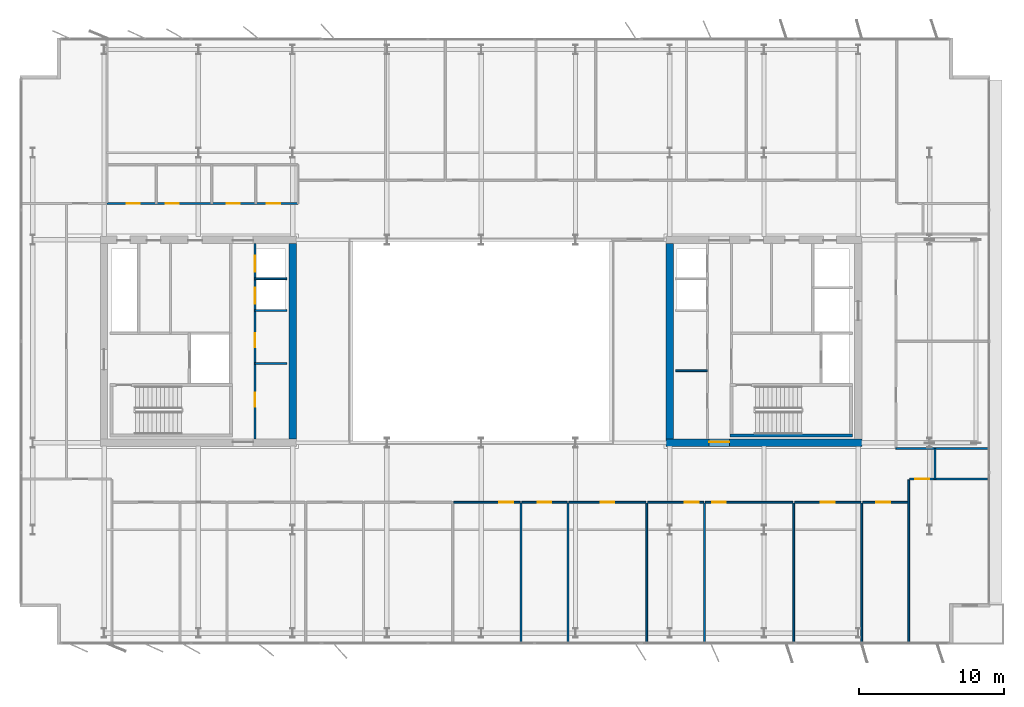
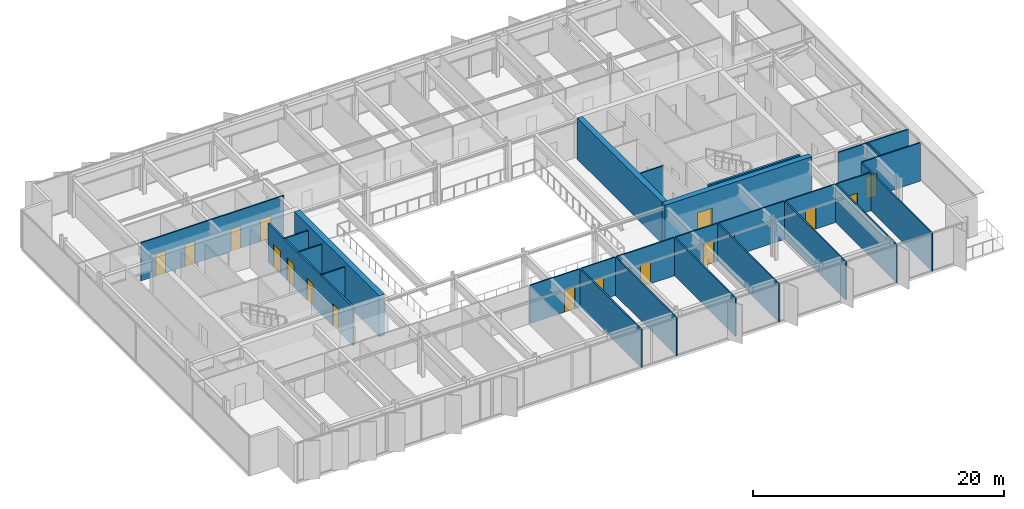
# One storey, part 14 of 20: 27 walls, 17 doors, 17 openings.
"""IFC4 building model written with IfcOpenShell, lengths in metres."""

from ifc_helpers import new_model, si_unit, direction, frame, frame_2d, origin, place, context, subcontext, project, spatial, rectangle, extrude, material, layer, layer_set, type_object, element, fill, save


model = new_model("IFC4")

# Units and contexts
model_context = context("Model", 3, precision=1e-05, world=origin(), true_north=direction((0.0, 1.0)))
body_context = subcontext(model_context, "Body", "Model", "MODEL_VIEW")
ifc_project = project(units=[si_unit("LENGTHUNIT", "METRE"), si_unit("AREAUNIT", "SQUARE_METRE"), si_unit("VOLUMEUNIT", "CUBIC_METRE"), si_unit("PLANEANGLEUNIT", "RADIAN"), si_unit("MASSUNIT", "GRAM", prefix="KILO")], contexts=[model_context])

# Site, building, storey
site_placement = place(None, origin())
site = spatial("IfcSite", under=ifc_project, at=site_placement, CompositionType="ELEMENT")
building_placement = place(site_placement, origin())
building = spatial("IfcBuilding", under=site, at=building_placement, Name="Putna Gate Headquarters", CompositionType="ELEMENT")
storey_placement = place(building_placement, frame((0.0, 0.0, 306.39990234375)))
storey = spatial("IfcBuildingStorey", under=building, at=storey_placement, Name="L77", CompositionType="ELEMENT", Elevation=306.39990234375)

# Wall
ifc_material_1 = material(Name="Concrete C50/60", Category="concrete")
ifc_layer_1 = layer(ifc_material_1, 0.5)
ifc_layer_set_1 = layer_set([ifc_layer_1], Name="Concrete C50/60")
wall_type_1 = type_object("IfcWallType", Name="WALL-CORE-500", PredefinedType="SHEAR", material=ifc_layer_set_1)
wall_1_placement = place(storey_placement, frame((26.0, 19.25, 0.0), z_axis=(0.0, 0.0, 1.0), x_axis=(0.0, 1.0, 0.0)))
element("IfcWall", 1, at=wall_1_placement, inside=storey, type_object=wall_type_1, Name="L77 WC Split Core Shear Wall E", PredefinedType="SHEAR", context=body_context, shape_type="SweptSolid", body=[
    extrude(rectangle(XDim=13.5, YDim=0.5, at=frame_2d((6.75, 0.0))), origin(), (0.0, 0.0, 1.0), 4.0),
])

# Wall, opening, door
wall_2_placement = place(storey_placement, frame((51.75, 19.0, 0.0), z_axis=(0.0, 0.0, 1.0), x_axis=(1.0, 0.0, 0.0)))
wall_2 = element("IfcWall", 2, at=wall_2_placement, inside=storey, type_object=wall_type_1, Name="L77 EC Split Core Shear Wall S", PredefinedType="SHEAR", context=body_context, shape_type="SweptSolid", body=[
    extrude(rectangle(XDim=13.5, YDim=0.5, at=frame_2d((6.75, 0.0))), origin(), (0.0, 0.0, 1.0), 4.0),
])
opening_1_placement = place(wall_2_placement, frame((2.969970703125, 0.0, 0.0)))
opening_1 = element("IfcOpeningElement", 3, at=opening_1_placement, cuts=wall_2, Name="Opening FDD-140", PredefinedType="OPENING", context=body_context, shape_type="SweptSolid", body=[
    extrude(rectangle(XDim=1.39990234375, YDim=2.199951171875, at=frame_2d((0.699951171875, 1.10009765625))), frame((0.0, 0.260009765625, 0.0), z_axis=(0.0, -1.0, 0.0), x_axis=(1.0, 0.0, 0.0)), (0.0, 0.0, 1.0), 0.52001953125),
])
ifc_material_2 = material(Name="Double steel fire door", Category="steel")
door_type_1 = type_object("IfcDoorType", Name="DOOR-FIRE-DBL-1400", OperationType="DOUBLE_DOOR_SINGLE_SWING", PredefinedType="DOOR", material=ifc_material_2)
door_1_placement = place(opening_1_placement, origin())
door_1 = element("IfcDoor", 4, at=door_1_placement, inside=storey, type_object=door_type_1, Name="L77 East Lift Lobby South Door", OperationType="DOUBLE_DOOR_SINGLE_SWING", OverallHeight=2.199951171875, OverallWidth=1.39990234375, PredefinedType="DOOR", context=body_context, shape_type="SweptSolid", body=[
    extrude(rectangle(XDim=1.39990234375, YDim=2.199951171875, at=frame_2d((0.699951171875, 1.10009765625))), frame((0.0, 0.0751953125, 0.0), z_axis=(0.0, -1.0, 0.0), x_axis=(1.0, 0.0, 0.0)), (0.0, 0.0, 1.0), 0.050048828125),
])
fill(opening_1, door_1)

# Walls
wall_3_placement = place(storey_placement, frame((52.0, 19.25, 0.0), z_axis=(0.0, 0.0, 1.0), x_axis=(0.0, 1.0, 0.0)))
element("IfcWall", 5, at=wall_3_placement, inside=storey, type_object=wall_type_1, Name="L77 EC Split Core Shear Wall W", PredefinedType="SHEAR", context=body_context, shape_type="SweptSolid", body=[
    extrude(rectangle(XDim=13.5, YDim=0.5, at=frame_2d((6.75, 0.0))), origin(), (0.0, 0.0, 1.0), 4.0),
])
ifc_material_3 = material(Name="Acoustic gypsum board on metal stud")
ifc_layer_2 = layer(ifc_material_3, 0.1201171875)
ifc_layer_set_2 = layer_set([ifc_layer_2], Name="Acoustic gypsum board on metal stud")
wall_type_2 = type_object("IfcWallType", Name="WALL-PART-120", PredefinedType="PARTITIONING", material=ifc_layer_set_2)
for number, where, z_axis, x_axis, name in (
    (6, (41.7412109375, 5.1201171875, 0.0), (0.0, 0.0, 1.0), (0.0, 1.0, 0.0), "L77 Interior Wall PART-L77-SB-DIV-07"),
    (7, (44.98828125, 5.1201171875, 0.0), (0.0, 0.0, 1.0), (0.0, 1.0, 0.0), "L77 Interior Wall PART-L77-SB-DIV-08"),
    (8, (50.418212890625, 5.1201171875, 0.0), (0.0, 0.0, 1.0), (0.0, 1.0, 0.0), "L77 Interior Wall PART-L77-SB-DIV-09"),
    (9, (54.390380859375, 5.1201171875, 0.0), (0.0, 0.0, 1.0), (0.0, 1.0, 0.0), "L77 Interior Wall PART-L77-SB-DIV-10"),
    (10, (60.54541015625, 5.1201171875, 0.0), (0.0, 0.0, 1.0), (0.0, 1.0, 0.0), "L77 Interior Wall PART-L77-SB-DIV-11"),
    (11, (65.2431640625, 5.1201171875, 0.0), (0.0, 0.0, 1.0), (0.0, 1.0, 0.0), "L77 Interior Wall PART-L77-SB-DIV-12"),
):
    element("IfcWall", number, at=place(storey_placement, frame(where, z_axis=z_axis, x_axis=x_axis)), inside=storey, type_object=wall_type_2, Name=name, PredefinedType="PARTITIONING", context=body_context, shape_type="SweptSolid", body=[
        extrude(rectangle(XDim=9.719970703125, YDim=0.1201171875, at=frame_2d((4.85986328125, 0.0))), origin(), (0.0, 0.0, 1.0), 3.72021484375),
    ])
wall_4_placement = place(storey_placement, frame((68.490234375, 5.1201171875, 0.0), z_axis=(0.0, 0.0, 1.0), x_axis=(0.0, 1.0, 0.0)))
element("IfcWall", 12, at=wall_4_placement, inside=storey, type_object=wall_type_2, Name="L77 Interior Wall PART-L77-SB-DIV-13", PredefinedType="PARTITIONING", context=body_context, shape_type="SweptSolid", body=[
    extrude(rectangle(XDim=11.31982421875, YDim=0.1201171875, at=frame_2d((5.659912109375, 0.0))), origin(), (0.0, 0.0, 1.0), 3.72021484375),
])
ifc_material_4 = material(Name="Fire-rated shaftwall gypsum board on metal stud")
ifc_layer_3 = layer(ifc_material_4, 0.1201171875)
ifc_layer_set_3 = layer_set([ifc_layer_3], Name="Fire-rated shaftwall gypsum board on metal stud")
wall_type_3 = type_object("IfcWallType", Name="WALL-PART-120-EI120", PredefinedType="PARTITIONING", material=ifc_layer_set_3)
wall_5_placement = place(storey_placement, frame((23.39990234375, 30.31005859375, 0.0), z_axis=(0.0, 0.0, 1.0), x_axis=(1.0, 0.0, 0.0)))
element("IfcWall", 13, at=wall_5_placement, inside=storey, type_object=wall_type_3, Name="L77 Interior Wall CWINT-L77-WC-LF09-DIV", PredefinedType="PARTITIONING", context=body_context, shape_type="SweptSolid", body=[
    extrude(rectangle(XDim=2.2001953125, YDim=0.1201171875, at=frame_2d((1.10009765625, 0.0))), origin(), (0.0, 0.0, 1.0), 3.72021484375),
])
ifc_material_5 = material(Name="Fire-rated gypsum board on metal stud")
ifc_layer_4 = layer(ifc_material_5, 0.1201171875)
ifc_layer_set_4 = layer_set([ifc_layer_4], Name="Fire-rated gypsum board on metal stud")
wall_type_4 = type_object("IfcWallType", Name="WALL-PART-120-RATED", PredefinedType="PARTITIONING", material=ifc_layer_set_4)
for number, where, z_axis, x_axis, name in (
    (14, (23.39990234375, 24.469970703125, 0.0), (0.0, 0.0, 1.0), (1.0, 0.0, 0.0), "L77 Interior Wall CWINT-L77-WC-REUSE-DIV"),
    (15, (23.39990234375, 28.1201171875, 0.0), (0.0, 0.0, 1.0), (1.0, 0.0, 0.0), "L77 Interior Wall CWINT-L77-WC-LF06-DIV"),
    (16, (52.39990234375, 23.969970703125, 0.0), (0.0, 0.0, 1.0), (1.0, 0.0, 0.0), "L77 Interior Wall CWINT-L77-EC-REUSE-DIV"),
):
    element("IfcWall", number, at=place(storey_placement, frame(where, z_axis=z_axis, x_axis=x_axis)), inside=storey, type_object=wall_type_4, Name=name, PredefinedType="PARTITIONING", context=body_context, shape_type="SweptSolid", body=[
        extrude(rectangle(XDim=2.2001953125, YDim=0.1201171875, at=frame_2d((1.10009765625, 0.0))), origin(), (0.0, 0.0, 1.0), 3.72021484375),
    ])
wall_6_placement = place(storey_placement, frame((70.290283203125, 16.5, 0.0), z_axis=(0.0, 0.0, 1.0), x_axis=(0.0, 1.0, 0.0)))
element("IfcWall", 17, at=wall_6_placement, inside=storey, type_object=wall_type_4, Name="L77 Interior Wall PART-L77-CORRS-CAPE", PredefinedType="PARTITIONING", context=body_context, shape_type="SweptSolid", body=[
    extrude(rectangle(XDim=2.10009765625, YDim=0.1201171875, at=frame_2d((1.050048828125, 0.0))), origin(), (0.0, 0.0, 1.0), 3.72021484375),
])

# Wall, openings, doors
wall_7_placement = place(storey_placement, frame((13.199951171875, 35.5, 0.0), z_axis=(0.0, 0.0, 1.0), x_axis=(1.0, 0.0, 0.0)))
wall_7 = element("IfcWall", 18, at=wall_7_placement, inside=storey, type_object=wall_type_4, Name="L77 Interior Wall PART-L77-SAN-CW", PredefinedType="PARTITIONING", context=body_context, shape_type="SweptSolid", body=[
    extrude(rectangle(XDim=13.16015625, YDim=0.1201171875, at=frame_2d((6.580078125, 0.0))), origin(), (0.0, 0.0, 1.0), 3.72021484375),
])
opening_2_placement = place(wall_7_placement, frame((1.35009765625, 0.0, 0.0)))
opening_2 = element("IfcOpeningElement", 19, at=opening_2_placement, cuts=wall_7, Name="Opening FD-90", PredefinedType="OPENING", context=body_context, shape_type="SweptSolid", body=[
    extrude(rectangle(XDim=0.89990234375, YDim=2.14990234375, at=frame_2d((0.449951171875, 1.074951171875))), frame((0.0, 0.070068359375, 0.0), z_axis=(0.0, -1.0, 0.0), x_axis=(1.0, 0.0, 0.0)), (0.0, 0.0, 1.0), 0.14013671875),
])
opening_3_placement = place(wall_7_placement, frame((4.050048828125, 0.0, 0.0)))
opening_3 = element("IfcOpeningElement", 20, at=opening_3_placement, cuts=wall_7, Name="Opening FD-90", PredefinedType="OPENING", context=body_context, shape_type="SweptSolid", body=[
    extrude(rectangle(XDim=0.89990234375, YDim=2.14990234375, at=frame_2d((0.449951171875, 1.074951171875))), frame((0.0, 0.070068359375, 0.0), z_axis=(0.0, -1.0, 0.0), x_axis=(1.0, 0.0, 0.0)), (0.0, 0.0, 1.0), 0.14013671875),
])
opening_4_placement = place(wall_7_placement, frame((8.25, 0.0, 0.0)))
opening_4 = element("IfcOpeningElement", 21, at=opening_4_placement, cuts=wall_7, Name="Opening FD-90", PredefinedType="OPENING", context=body_context, shape_type="SweptSolid", body=[
    extrude(rectangle(XDim=0.89990234375, YDim=2.14990234375, at=frame_2d((0.449951171875, 1.074951171875))), frame((0.0, 0.070068359375, 0.0), z_axis=(0.0, -1.0, 0.0), x_axis=(1.0, 0.0, 0.0)), (0.0, 0.0, 1.0), 0.14013671875),
])
opening_5_placement = place(wall_7_placement, frame((11.0, 0.0, 0.0)))
opening_5 = element("IfcOpeningElement", 22, at=opening_5_placement, cuts=wall_7, Name="Opening FD-95", PredefinedType="OPENING", context=body_context, shape_type="SweptSolid", body=[
    extrude(rectangle(XDim=0.949951171875, YDim=2.14990234375, at=frame_2d((0.47509765625, 1.074951171875))), frame((0.0, 0.070068359375, 0.0), z_axis=(0.0, -1.0, 0.0), x_axis=(1.0, 0.0, 0.0)), (0.0, 0.0, 1.0), 0.14013671875),
])
ifc_material_6 = material(Name="Acoustic washroom fire door")
door_type_2 = type_object("IfcDoorType", Name="DOOR-FIRE-900", OperationType="NOTDEFINED", PredefinedType="DOOR", material=ifc_material_6)
door_2_placement = place(opening_2_placement, origin())
door_2 = element("IfcDoor", 23, at=door_2_placement, inside=storey, type_object=door_type_2, Name="L77 Washroom Male Door", OperationType="SINGLE_SWING_RIGHT", OverallHeight=2.14990234375, OverallWidth=0.89990234375, PredefinedType="DOOR", context=body_context, shape_type="SweptSolid", body=[
    extrude(rectangle(XDim=0.89990234375, YDim=2.14990234375, at=frame_2d((0.449951171875, 1.074951171875))), frame((0.0, 0.02490234375, 0.0), z_axis=(0.0, -1.0, 0.0), x_axis=(1.0, 0.0, 0.0)), (0.0, 0.0, 1.0), 0.050048828125),
])
fill(opening_2, door_2)
door_3_placement = place(opening_3_placement, origin())
door_3 = element("IfcDoor", 24, at=door_3_placement, inside=storey, type_object=door_type_2, Name="L77 Washroom Female Door", OperationType="SINGLE_SWING_LEFT", OverallHeight=2.14990234375, OverallWidth=0.89990234375, PredefinedType="DOOR", context=body_context, shape_type="SweptSolid", body=[
    extrude(rectangle(XDim=0.89990234375, YDim=2.14990234375, at=frame_2d((0.449951171875, 1.074951171875))), frame((0.0, 0.02490234375, 0.0), z_axis=(0.0, -1.0, 0.0), x_axis=(1.0, 0.0, 0.0)), (0.0, 0.0, 1.0), 0.050048828125),
])
fill(opening_3, door_3)
door_4_placement = place(opening_4_placement, origin())
door_4 = element("IfcDoor", 25, at=door_4_placement, inside=storey, type_object=door_type_2, Name="L77 Accessible WC Door", OperationType="SINGLE_SWING_RIGHT", OverallHeight=2.14990234375, OverallWidth=0.89990234375, PredefinedType="DOOR", context=body_context, shape_type="SweptSolid", body=[
    extrude(rectangle(XDim=0.89990234375, YDim=2.14990234375, at=frame_2d((0.449951171875, 1.074951171875))), frame((0.0, 0.02490234375, 0.0), z_axis=(0.0, -1.0, 0.0), x_axis=(1.0, 0.0, 0.0)), (0.0, 0.0, 1.0), 0.050048828125),
])
fill(opening_4, door_4)
ifc_material_7 = material(Name="Acoustic timber fire door", Category="wood")
door_type_3 = type_object("IfcDoorType", Name="DOOR-FIRE-950", OperationType="NOTDEFINED", PredefinedType="DOOR", material=ifc_material_7)
door_5_placement = place(opening_5_placement, origin())
door_5 = element("IfcDoor", 26, at=door_5_placement, inside=storey, type_object=door_type_3, Name="L77 Staff Pantry and Tea Point Door", OperationType="SINGLE_SWING_LEFT", OverallHeight=2.14990234375, OverallWidth=0.949951171875, PredefinedType="DOOR", context=body_context, shape_type="SweptSolid", body=[
    extrude(rectangle(XDim=0.949951171875, YDim=2.14990234375, at=frame_2d((0.47509765625, 1.074951171875))), frame((0.0, 0.02490234375, 0.0), z_axis=(0.0, -1.0, 0.0), x_axis=(1.0, 0.0, 0.0)), (0.0, 0.0, 1.0), 0.050048828125),
])
fill(opening_5, door_5)

# Wall, opening, door
wall_8_placement = place(storey_placement, frame((37.096923828125, 14.89990234375, 0.0), z_axis=(0.0, 0.0, 1.0), x_axis=(1.0, 0.0, 0.0)))
wall_8 = element("IfcWall", 27, at=wall_8_placement, inside=storey, type_object=wall_type_4, Name="L77 Interior Wall PART-L77-SB-CW-07", PredefinedType="PARTITIONING", context=body_context, shape_type="SweptSolid", body=[
    extrude(rectangle(XDim=4.58447265625, YDim=0.1201171875, at=frame_2d((2.292236328125, 0.0))), origin(), (0.0, 0.0, 1.0), 3.72021484375),
])
opening_6_placement = place(wall_8_placement, frame((3.154296875, 0.0, 0.0)))
opening_6 = element("IfcOpeningElement", 28, at=opening_6_placement, cuts=wall_8, Name="Opening FD-95", PredefinedType="OPENING", context=body_context, shape_type="SweptSolid", body=[
    extrude(rectangle(XDim=0.949951171875, YDim=2.14990234375, at=frame_2d((0.47509765625, 1.074951171875))), frame((0.0, 0.070068359375, 0.0), z_axis=(0.0, -1.0, 0.0), x_axis=(1.0, 0.0, 0.0)), (0.0, 0.0, 1.0), 0.14013671875),
])
door_6_placement = place(opening_6_placement, origin())
door_6 = element("IfcDoor", 29, at=door_6_placement, inside=storey, type_object=door_type_3, Name="L77 Collaborative Breakout Lounge 3 Door", OperationType="SINGLE_SWING_RIGHT", OverallHeight=2.14990234375, OverallWidth=0.949951171875, PredefinedType="DOOR", context=body_context, shape_type="SweptSolid", body=[
    extrude(rectangle(XDim=0.949951171875, YDim=2.14990234375, at=frame_2d((0.47509765625, 1.074951171875))), frame((0.0, 0.02490234375, 0.0), z_axis=(0.0, -1.0, 0.0), x_axis=(1.0, 0.0, 0.0)), (0.0, 0.0, 1.0), 0.050048828125),
])
fill(opening_6, door_6)

wall_9_placement = place(storey_placement, frame((41.80126953125, 14.89990234375, 0.0), z_axis=(0.0, 0.0, 1.0), x_axis=(1.0, 0.0, 0.0)))
wall_9 = element("IfcWall", 30, at=wall_9_placement, inside=storey, type_object=wall_type_4, Name="L77 Interior Wall PART-L77-SB-CW-08", PredefinedType="PARTITIONING", context=body_context, shape_type="SweptSolid", body=[
    extrude(rectangle(XDim=3.127197265625, YDim=0.1201171875, at=frame_2d((1.5634765625, 0.0))), origin(), (0.0, 0.0, 1.0), 3.72021484375),
])
opening_7_placement = place(wall_9_placement, frame((1.088623046875, 0.0, 0.0)))
opening_7 = element("IfcOpeningElement", 31, at=opening_7_placement, cuts=wall_9, Name="Opening FD-95", PredefinedType="OPENING", context=body_context, shape_type="SweptSolid", body=[
    extrude(rectangle(XDim=0.949951171875, YDim=2.14990234375, at=frame_2d((0.47509765625, 1.074951171875))), frame((0.0, 0.070068359375, 0.0), z_axis=(0.0, -1.0, 0.0), x_axis=(1.0, 0.0, 0.0)), (0.0, 0.0, 1.0), 0.14013671875),
])
door_7_placement = place(opening_7_placement, origin())
door_7 = element("IfcDoor", 32, at=door_7_placement, inside=storey, type_object=door_type_3, Name="L77 Quiet Wellness Focus Studio 1 Door", OperationType="SINGLE_SWING_LEFT", OverallHeight=2.14990234375, OverallWidth=0.949951171875, PredefinedType="DOOR", context=body_context, shape_type="SweptSolid", body=[
    extrude(rectangle(XDim=0.949951171875, YDim=2.14990234375, at=frame_2d((0.47509765625, 1.074951171875))), frame((0.0, 0.02490234375, 0.0), z_axis=(0.0, -1.0, 0.0), x_axis=(1.0, 0.0, 0.0)), (0.0, 0.0, 1.0), 0.050048828125),
])
fill(opening_7, door_7)

wall_10_placement = place(storey_placement, frame((45.04833984375, 14.89990234375, 0.0), z_axis=(0.0, 0.0, 1.0), x_axis=(1.0, 0.0, 0.0)))
wall_10 = element("IfcWall", 33, at=wall_10_placement, inside=storey, type_object=wall_type_4, Name="L77 Interior Wall PART-L77-SB-CW-09", PredefinedType="PARTITIONING", context=body_context, shape_type="SweptSolid", body=[
    extrude(rectangle(XDim=5.309814453125, YDim=0.1201171875, at=frame_2d((2.65478515625, 0.0))), origin(), (0.0, 0.0, 1.0), 3.72021484375),
])
opening_8_placement = place(wall_10_placement, frame((2.1796875, 0.0, 0.0)))
opening_8 = element("IfcOpeningElement", 34, at=opening_8_placement, cuts=wall_10, Name="Opening FD-95", PredefinedType="OPENING", context=body_context, shape_type="SweptSolid", body=[
    extrude(rectangle(XDim=0.949951171875, YDim=2.14990234375, at=frame_2d((0.47509765625, 1.074951171875))), frame((0.0, 0.070068359375, 0.0), z_axis=(0.0, -1.0, 0.0), x_axis=(1.0, 0.0, 0.0)), (0.0, 0.0, 1.0), 0.14013671875),
])
door_8_placement = place(opening_8_placement, origin())
door_8 = element("IfcDoor", 35, at=door_8_placement, inside=storey, type_object=door_type_3, Name="L77 Quiet Wellness Focus Studio 2 Door", OperationType="SINGLE_SWING_RIGHT", OverallHeight=2.14990234375, OverallWidth=0.949951171875, PredefinedType="DOOR", context=body_context, shape_type="SweptSolid", body=[
    extrude(rectangle(XDim=0.949951171875, YDim=2.14990234375, at=frame_2d((0.47509765625, 1.074951171875))), frame((0.0, 0.02490234375, 0.0), z_axis=(0.0, -1.0, 0.0), x_axis=(1.0, 0.0, 0.0)), (0.0, 0.0, 1.0), 0.050048828125),
])
fill(opening_8, door_8)

wall_11_placement = place(storey_placement, frame((50.47802734375, 14.89990234375, 0.0), z_axis=(0.0, 0.0, 1.0), x_axis=(1.0, 0.0, 0.0)))
wall_11 = element("IfcWall", 36, at=wall_11_placement, inside=storey, type_object=wall_type_4, Name="L77 Interior Wall PART-L77-SB-CW-10", PredefinedType="PARTITIONING", context=body_context, shape_type="SweptSolid", body=[
    extrude(rectangle(XDim=3.8525390625, YDim=0.1201171875, at=frame_2d((1.92626953125, 0.0))), origin(), (0.0, 0.0, 1.0), 3.72021484375),
])
opening_9_placement = place(wall_11_placement, frame((2.5615234375, 0.0, 0.0)))
opening_9 = element("IfcOpeningElement", 37, at=opening_9_placement, cuts=wall_11, Name="Opening FD-95", PredefinedType="OPENING", context=body_context, shape_type="SweptSolid", body=[
    extrude(rectangle(XDim=0.949951171875, YDim=2.14990234375, at=frame_2d((0.47509765625, 1.074951171875))), frame((0.0, 0.070068359375, 0.0), z_axis=(0.0, -1.0, 0.0), x_axis=(1.0, 0.0, 0.0)), (0.0, 0.0, 1.0), 0.14013671875),
])
door_9_placement = place(opening_9_placement, origin())
door_9 = element("IfcDoor", 38, at=door_9_placement, inside=storey, type_object=door_type_3, Name="L77 Quiet Wellness Focus Studio 3 Door", OperationType="SINGLE_SWING_LEFT", OverallHeight=2.14990234375, OverallWidth=0.949951171875, PredefinedType="DOOR", context=body_context, shape_type="SweptSolid", body=[
    extrude(rectangle(XDim=0.949951171875, YDim=2.14990234375, at=frame_2d((0.47509765625, 1.074951171875))), frame((0.0, 0.02490234375, 0.0), z_axis=(0.0, -1.0, 0.0), x_axis=(1.0, 0.0, 0.0)), (0.0, 0.0, 1.0), 0.050048828125),
])
fill(opening_9, door_9)

wall_12_placement = place(storey_placement, frame((54.450439453125, 14.89990234375, 0.0), z_axis=(0.0, 0.0, 1.0), x_axis=(1.0, 0.0, 0.0)))
wall_12 = element("IfcWall", 39, at=wall_12_placement, inside=storey, type_object=wall_type_4, Name="L77 Interior Wall PART-L77-SB-CW-11", PredefinedType="PARTITIONING", context=body_context, shape_type="SweptSolid", body=[
    extrude(rectangle(XDim=6.03515625, YDim=0.1201171875, at=frame_2d((3.017578125, 0.0))), origin(), (0.0, 0.0, 1.0), 3.72021484375),
])
opening_10_placement = place(wall_12_placement, frame((0.47998046875, 0.0, 0.0)))
opening_10 = element("IfcOpeningElement", 40, at=opening_10_placement, cuts=wall_12, Name="Opening FD-95", PredefinedType="OPENING", context=body_context, shape_type="SweptSolid", body=[
    extrude(rectangle(XDim=0.949951171875, YDim=2.14990234375, at=frame_2d((0.47509765625, 1.074951171875))), frame((0.0, 0.070068359375, 0.0), z_axis=(0.0, -1.0, 0.0), x_axis=(1.0, 0.0, 0.0)), (0.0, 0.0, 1.0), 0.14013671875),
])
door_10_placement = place(opening_10_placement, origin())
door_10 = element("IfcDoor", 41, at=door_10_placement, inside=storey, type_object=door_type_3, Name="L77 Cellular Office 1 Door", OperationType="SINGLE_SWING_RIGHT", OverallHeight=2.14990234375, OverallWidth=0.949951171875, PredefinedType="DOOR", context=body_context, shape_type="SweptSolid", body=[
    extrude(rectangle(XDim=0.949951171875, YDim=2.14990234375, at=frame_2d((0.47509765625, 1.074951171875))), frame((0.0, 0.02490234375, 0.0), z_axis=(0.0, -1.0, 0.0), x_axis=(1.0, 0.0, 0.0)), (0.0, 0.0, 1.0), 0.050048828125),
])
fill(opening_10, door_10)

wall_13_placement = place(storey_placement, frame((60.60546875, 14.89990234375, 0.0), z_axis=(0.0, 0.0, 1.0), x_axis=(1.0, 0.0, 0.0)))
wall_13 = element("IfcWall", 42, at=wall_13_placement, inside=storey, type_object=wall_type_4, Name="L77 Interior Wall PART-L77-SB-CW-12", PredefinedType="PARTITIONING", context=body_context, shape_type="SweptSolid", body=[
    extrude(rectangle(XDim=4.57763671875, YDim=0.1201171875, at=frame_2d((2.288818359375, 0.0))), origin(), (0.0, 0.0, 1.0), 3.72021484375),
])
opening_11_placement = place(wall_13_placement, frame((1.81396484375, 0.0, 0.0)))
opening_11 = element("IfcOpeningElement", 43, at=opening_11_placement, cuts=wall_13, Name="Opening FD-95", PredefinedType="OPENING", context=body_context, shape_type="SweptSolid", body=[
    extrude(rectangle(XDim=0.949951171875, YDim=2.14990234375, at=frame_2d((0.47509765625, 1.074951171875))), frame((0.0, 0.070068359375, 0.0), z_axis=(0.0, -1.0, 0.0), x_axis=(1.0, 0.0, 0.0)), (0.0, 0.0, 1.0), 0.14013671875),
])
door_11_placement = place(opening_11_placement, origin())
door_11 = element("IfcDoor", 44, at=door_11_placement, inside=storey, type_object=door_type_3, Name="L77 Cellular Office 2 Door", OperationType="SINGLE_SWING_LEFT", OverallHeight=2.14990234375, OverallWidth=0.949951171875, PredefinedType="DOOR", context=body_context, shape_type="SweptSolid", body=[
    extrude(rectangle(XDim=0.949951171875, YDim=2.14990234375, at=frame_2d((0.47509765625, 1.074951171875))), frame((0.0, 0.02490234375, 0.0), z_axis=(0.0, -1.0, 0.0), x_axis=(1.0, 0.0, 0.0)), (0.0, 0.0, 1.0), 0.050048828125),
])
fill(opening_11, door_11)

wall_14_placement = place(storey_placement, frame((65.30322265625, 14.89990234375, 0.0), z_axis=(0.0, 0.0, 1.0), x_axis=(1.0, 0.0, 0.0)))
wall_14 = element("IfcWall", 45, at=wall_14_placement, inside=storey, type_object=wall_type_4, Name="L77 Interior Wall PART-L77-SB-CW-13", PredefinedType="PARTITIONING", context=body_context, shape_type="SweptSolid", body=[
    extrude(rectangle(XDim=3.127197265625, YDim=0.1201171875, at=frame_2d((1.5634765625, 0.0))), origin(), (0.0, 0.0, 1.0), 3.72021484375),
])
opening_12_placement = place(wall_14_placement, frame((0.93798828125, 0.0, 0.0)))
opening_12 = element("IfcOpeningElement", 46, at=opening_12_placement, cuts=wall_14, Name="Opening FD-95", PredefinedType="OPENING", context=body_context, shape_type="SweptSolid", body=[
    extrude(rectangle(XDim=0.949951171875, YDim=2.14990234375, at=frame_2d((0.47509765625, 1.074951171875))), frame((0.0, 0.070068359375, 0.0), z_axis=(0.0, -1.0, 0.0), x_axis=(1.0, 0.0, 0.0)), (0.0, 0.0, 1.0), 0.14013671875),
])
door_12_placement = place(opening_12_placement, origin())
door_12 = element("IfcDoor", 47, at=door_12_placement, inside=storey, type_object=door_type_3, Name="L77 Cellular Office 3 Door", OperationType="SINGLE_SWING_RIGHT", OverallHeight=2.14990234375, OverallWidth=0.949951171875, PredefinedType="DOOR", context=body_context, shape_type="SweptSolid", body=[
    extrude(rectangle(XDim=0.949951171875, YDim=2.14990234375, at=frame_2d((0.47509765625, 1.074951171875))), frame((0.0, 0.02490234375, 0.0), z_axis=(0.0, -1.0, 0.0), x_axis=(1.0, 0.0, 0.0)), (0.0, 0.0, 1.0), 0.050048828125),
])
fill(opening_12, door_12)

wall_15_placement = place(storey_placement, frame((68.55029296875, 16.5, 0.0), z_axis=(0.0, 0.0, 1.0), x_axis=(1.0, 0.0, 0.0)))
wall_15 = element("IfcWall", 48, at=wall_15_placement, inside=storey, type_object=wall_type_4, Name="L77 Interior Wall PART-L77-SB-CW-14", PredefinedType="PARTITIONING", context=body_context, shape_type="SweptSolid", body=[
    extrude(rectangle(XDim=5.36962890625, YDim=0.1201171875, at=frame_2d((2.684814453125, 0.0))), origin(), (0.0, 0.0, 1.0), 3.72021484375),
])
opening_13_placement = place(wall_15_placement, frame((0.39501953125, 0.0, 0.0)))
opening_13 = element("IfcOpeningElement", 49, at=opening_13_placement, cuts=wall_15, Name="Opening FD-95", PredefinedType="OPENING", context=body_context, shape_type="SweptSolid", body=[
    extrude(rectangle(XDim=0.949951171875, YDim=2.14990234375, at=frame_2d((0.47509765625, 1.074951171875))), frame((0.0, 0.070068359375, 0.0), z_axis=(0.0, -1.0, 0.0), x_axis=(1.0, 0.0, 0.0)), (0.0, 0.0, 1.0), 0.14013671875),
])
door_13_placement = place(opening_13_placement, origin())
door_13 = element("IfcDoor", 50, at=door_13_placement, inside=storey, type_object=door_type_3, Name="L77 Cellular Office 7 Door", OperationType="SINGLE_SWING_LEFT", OverallHeight=2.14990234375, OverallWidth=0.949951171875, PredefinedType="DOOR", context=body_context, shape_type="SweptSolid", body=[
    extrude(rectangle(XDim=0.949951171875, YDim=2.14990234375, at=frame_2d((0.47509765625, 1.074951171875))), frame((0.0, 0.02490234375, 0.0), z_axis=(0.0, -1.0, 0.0), x_axis=(1.0, 0.0, 0.0)), (0.0, 0.0, 1.0), 0.050048828125),
])
fill(opening_13, door_13)

# Wall
wall_16_placement = place(storey_placement, frame((67.60009765625, 18.60009765625, 0.0), z_axis=(0.0, 0.0, 1.0), x_axis=(1.0, 0.0, 0.0)))
element("IfcWall", 51, at=wall_16_placement, inside=storey, type_object=wall_type_4, Name="L77 Interior Wall PART-L77-EW-S-BOUND", PredefinedType="PARTITIONING", context=body_context, shape_type="SweptSolid", body=[
    extrude(rectangle(XDim=6.47998046875, YDim=0.1201171875, at=frame_2d((3.239990234375, 0.0))), origin(), (0.0, 0.0, 1.0), 3.72021484375),
])

# Wall, openings, doors
ifc_material_8 = material(Name="Concrete C40/50", Category="concrete")
ifc_layer_5 = layer(ifc_material_8, 0.159912109375)
ifc_layer_set_5 = layer_set([ifc_layer_5], Name="Concrete C40/50")
wall_type_5 = type_object("IfcWallType", Name="WALL-SHAFT-160", PredefinedType="STANDARD", material=ifc_layer_set_5)
wall_17_placement = place(storey_placement, frame((23.39990234375, 19.25, 0.0), z_axis=(0.0, 0.0, 1.0), x_axis=(0.0, 1.0, 0.0)))
wall_17 = element("IfcWall", 52, at=wall_17_placement, inside=storey, type_object=wall_type_5, Name="L77 Interior Wall CWINT-L77-WC-PL-WALL", PredefinedType="STANDARD", context=body_context, shape_type="SweptSolid", body=[
    extrude(rectangle(XDim=13.5, YDim=0.159912109375, at=frame_2d((6.75, 0.0))), origin(), (0.0, 0.0, 1.0), 3.72021484375),
])
opening_14_placement = place(wall_17_placement, frame((2.25, 0.0, 0.0)))
opening_14 = element("IfcOpeningElement", 53, at=opening_14_placement, cuts=wall_17, Name="Opening IDS-95", PredefinedType="OPENING", context=body_context, shape_type="SweptSolid", body=[
    extrude(rectangle(XDim=0.949951171875, YDim=2.14990234375, at=frame_2d((0.47509765625, 1.074951171875))), frame((0.0, 0.08984375, 0.0), z_axis=(0.0, -1.0, 0.0), x_axis=(1.0, 0.0, 0.0)), (0.0, 0.0, 1.0), 0.179931640625),
])
opening_15_placement = place(wall_17_placement, frame((6.35009765625, 0.0, 0.0)))
opening_15 = element("IfcOpeningElement", 54, at=opening_15_placement, cuts=wall_17, Name="Opening IDS-95", PredefinedType="OPENING", context=body_context, shape_type="SweptSolid", body=[
    extrude(rectangle(XDim=0.949951171875, YDim=2.14990234375, at=frame_2d((0.47509765625, 1.074951171875))), frame((0.0, 0.08984375, 0.0), z_axis=(0.0, -1.0, 0.0), x_axis=(1.0, 0.0, 0.0)), (0.0, 0.0, 1.0), 0.179931640625),
])
opening_16_placement = place(wall_17_placement, frame((9.35009765625, 0.0, 0.0)))
opening_16 = element("IfcOpeningElement", 55, at=opening_16_placement, cuts=wall_17, Name="Opening LD-1", PredefinedType="OPENING", context=body_context, shape_type="SweptSolid", body=[
    extrude(rectangle(XDim=1.10009765625, YDim=2.199951171875, at=frame_2d((0.550048828125, 1.10009765625))), frame((0.0, 0.08984375, 0.0), z_axis=(0.0, -1.0, 0.0), x_axis=(1.0, 0.0, 0.0)), (0.0, 0.0, 1.0), 0.179931640625),
])
opening_17_placement = place(wall_17_placement, frame((11.550048828125, 0.0, 0.0)))
opening_17 = element("IfcOpeningElement", 56, at=opening_17_placement, cuts=wall_17, Name="Opening LD-1", PredefinedType="OPENING", context=body_context, shape_type="SweptSolid", body=[
    extrude(rectangle(XDim=1.10009765625, YDim=2.199951171875, at=frame_2d((0.550048828125, 1.10009765625))), frame((0.0, 0.08984375, 0.0), z_axis=(0.0, -1.0, 0.0), x_axis=(1.0, 0.0, 0.0)), (0.0, 0.0, 1.0), 0.179931640625),
])
ifc_material_9 = material(Name="Fire-rated service timber door", Category="wood")
door_type_4 = type_object("IfcDoorType", Name="DOOR-INT-950", OperationType="NOTDEFINED", PredefinedType="DOOR", material=ifc_material_9)
door_14_placement = place(opening_14_placement, origin())
door_14 = element("IfcDoor", 57, at=door_14_placement, inside=storey, type_object=door_type_4, Name="L77 Tenant IT Hub Door", OperationType="SINGLE_SWING_LEFT", OverallHeight=2.14990234375, OverallWidth=0.949951171875, PredefinedType="DOOR", context=body_context, shape_type="SweptSolid", body=[
    extrude(rectangle(XDim=0.949951171875, YDim=2.14990234375, at=frame_2d((0.47509765625, 1.074951171875))), frame((0.0, 0.02490234375, 0.0), z_axis=(0.0, -1.0, 0.0), x_axis=(1.0, 0.0, 0.0)), (0.0, 0.0, 1.0), 0.050048828125),
])
fill(opening_14, door_14)
door_15_placement = place(opening_15_placement, origin())
door_15 = element("IfcDoor", 58, at=door_15_placement, inside=storey, type_object=door_type_4, Name="L77 Records Vault Door", OperationType="SINGLE_SWING_RIGHT", OverallHeight=2.14990234375, OverallWidth=0.949951171875, PredefinedType="DOOR", context=body_context, shape_type="SweptSolid", body=[
    extrude(rectangle(XDim=0.949951171875, YDim=2.14990234375, at=frame_2d((0.47509765625, 1.074951171875))), frame((0.0, 0.02490234375, 0.0), z_axis=(0.0, -1.0, 0.0), x_axis=(1.0, 0.0, 0.0)), (0.0, 0.0, 1.0), 0.050048828125),
])
fill(opening_15, door_15)
ifc_material_10 = material(Name="Brushed bronze stainless lift landing door")
door_type_5 = type_object("IfcDoorType", Name="DOOR-LIFT-1100", OperationType="DOUBLE_DOOR_SLIDING", PredefinedType="DOOR", material=ifc_material_10)
door_16_placement = place(opening_16_placement, origin())
door_16 = element("IfcDoor", 59, at=door_16_placement, inside=storey, type_object=door_type_5, Name="L77 Lift Landing Door LD-09", OperationType="DOUBLE_DOOR_SLIDING", OverallHeight=2.199951171875, OverallWidth=1.10009765625, PredefinedType="DOOR", context=body_context, shape_type="SweptSolid", body=[
    extrude(rectangle(XDim=1.10009765625, YDim=2.199951171875, at=frame_2d((0.550048828125, 1.10009765625))), frame((0.0, 0.02490234375, 0.0), z_axis=(0.0, -1.0, 0.0), x_axis=(1.0, 0.0, 0.0)), (0.0, 0.0, 1.0), 0.050048828125),
])
fill(opening_16, door_16)
door_17_placement = place(opening_17_placement, origin())
door_17 = element("IfcDoor", 60, at=door_17_placement, inside=storey, type_object=door_type_5, Name="L77 Lift Landing Door LD-10", OperationType="DOUBLE_DOOR_SLIDING", OverallHeight=2.199951171875, OverallWidth=1.10009765625, PredefinedType="DOOR", context=body_context, shape_type="SweptSolid", body=[
    extrude(rectangle(XDim=1.10009765625, YDim=2.199951171875, at=frame_2d((0.550048828125, 1.10009765625))), frame((0.0, 0.02490234375, 0.0), z_axis=(0.0, -1.0, 0.0), x_axis=(1.0, 0.0, 0.0)), (0.0, 0.0, 1.0), 0.050048828125),
])
fill(opening_17, door_17)

# Wall
ifc_layer_6 = layer(ifc_material_8, 0.199951171875)
ifc_layer_set_6 = layer_set([ifc_layer_6], Name="Concrete C40/50")
wall_type_6 = type_object("IfcWallType", Name="WALL-SHAFT-RC200", PredefinedType="SHEAR", material=ifc_layer_set_6)
wall_18_placement = place(storey_placement, frame((56.159912109375, 19.510009765625, 0.0), z_axis=(0.0, 0.0, 1.0), x_axis=(1.0, 0.0, 0.0)))
element("IfcWall", 61, at=wall_18_placement, inside=storey, type_object=wall_type_6, Name="L77 Stair ST2 Structural Shaft Wall S", PredefinedType="SHEAR", context=body_context, shape_type="SweptSolid", body=[
    extrude(rectangle(XDim=8.43017578125, YDim=0.199951171875, at=frame_2d((4.215087890625, 0.0))), origin(), (0.0, 0.0, 1.0), 4.0),
])

save(model, "model.ifc")
